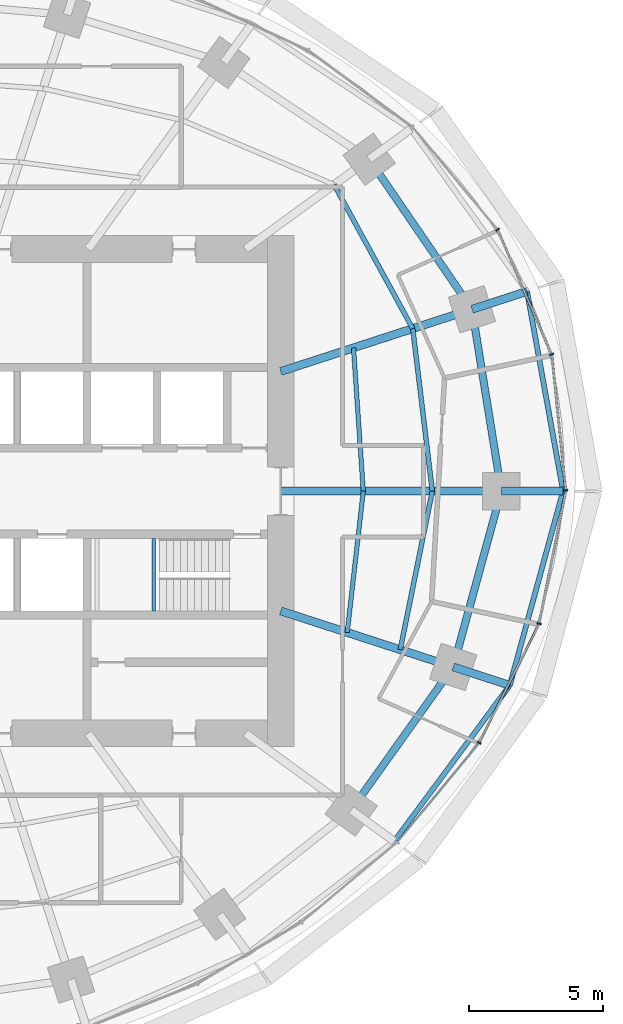
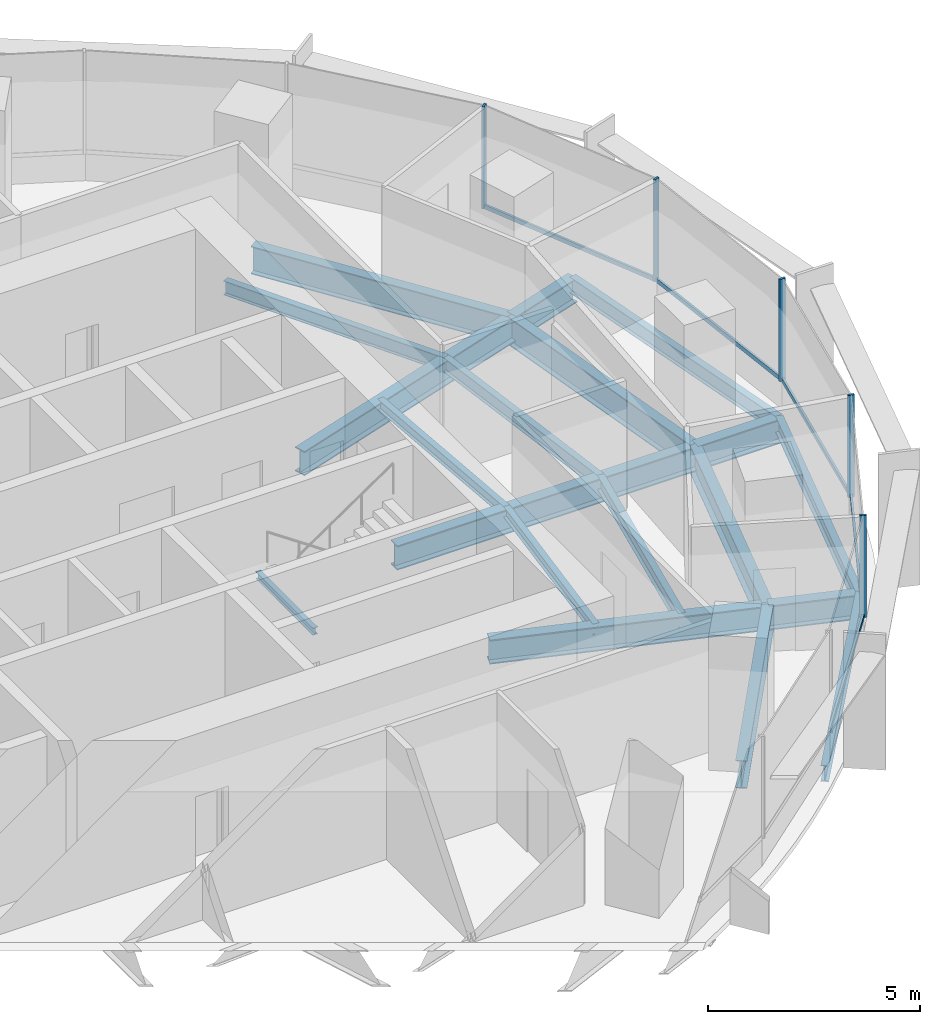
# One storey, part 6 of 15: 19 beams, 10 members, 2 elements without a shape of their own.
"""IFC4 building model written with IfcOpenShell, lengths in metres."""

from ifc_helpers import new_model, si_unit, direction, frame, origin, origin_2d, place, context, subcontext, project, spatial, rectangle, i_section, extrude, material, material_profile, profile_set, type_object, element, aggregate, save


model = new_model("IFC4")

# Units and contexts
model_context = context("Model", 3, precision=1e-05, world=origin(), true_north=direction((0.0, 1.0)))
body_context = subcontext(model_context, "Body", "Model", "MODEL_VIEW")
ifc_project = project(units=[si_unit("LENGTHUNIT", "METRE"), si_unit("AREAUNIT", "SQUARE_METRE"), si_unit("VOLUMEUNIT", "CUBIC_METRE"), si_unit("PLANEANGLEUNIT", "RADIAN"), si_unit("MASSUNIT", "GRAM", prefix="KILO")], contexts=[model_context])

# Site, building, storey
site_placement = place(None, origin())
site = spatial("IfcSite", under=ifc_project, at=site_placement, CompositionType="ELEMENT")
building_placement = place(site_placement, origin())
building = spatial("IfcBuilding", under=site, at=building_placement, Name="Marramba Exchange Tower", CompositionType="ELEMENT")
storey_placement = place(building_placement, frame((0.0, 0.0, 207.199951171875)))
storey = spatial("IfcBuildingStorey", under=building, at=storey_placement, Name="L50", CompositionType="ELEMENT", Elevation=207.199951171875)

# Beams
ifc_material_1 = material(Name="Steel AS/NZS 3679.2 grade 300", Category="steel")
ifc_material_profile_1 = material_profile(ifc_material_1, i_section(OverallWidth=0.300048828125, OverallDepth=0.699951171875, WebThickness=0.010009765625, FlangeThickness=0.031982421875, at=origin_2d()), Name="700WB173")
ifc_profile_set_1 = profile_set([ifc_material_profile_1], Name="Steel AS/NZS 3679.2 grade 300")
beam_type_1 = type_object("IfcBeamType", Name="Cantilever girder 700WB173", PredefinedType="BEAM", material=ifc_profile_set_1)
beam_1_placement = place(storey_placement, frame((21.89990234375, 0.0, -0.510009765625), z_axis=(1.0, 0.0, 0.0), x_axis=(0.0, 1.0, 0.0)))
element("IfcBeam", 1, at=beam_1_placement, inside=storey, type_object=beam_type_1, Name="Cantilever girder L50 TC01", PredefinedType="BEAM", context=body_context, shape_type="SweptSolid", body=[
    extrude(i_section(OverallWidth=0.300048828125, OverallDepth=0.699951171875, WebThickness=0.010009765625, FlangeThickness=0.031982421875, at=origin_2d()), origin(), (0.0, 0.0, 1.0), 2.294189453125),
])
beam_2_placement = place(storey_placement, frame((20.808349609375, 6.760986328125, -0.510009765625), z_axis=(0.951051587859, 0.309032162129, 0.0), x_axis=(-0.309032162129, 0.951051587859, 0.0)))
element("IfcBeam", 2, at=beam_2_placement, inside=storey, type_object=beam_type_1, Name="Cantilever girder L50 TC02", PredefinedType="BEAM", context=body_context, shape_type="SweptSolid", body=[
    extrude(i_section(OverallWidth=0.300048828125, OverallDepth=0.699951171875, WebThickness=0.010009765625, FlangeThickness=0.031982421875, at=origin_2d()), origin(), (0.0, 0.0, 1.0), 2.150390625),
])
beam_3_placement = place(storey_placement, frame((20.109375, -6.533935546875, -0.510009765625), z_axis=(0.951050283347, -0.309036176758, 0.0), x_axis=(0.309036176758, 0.951050283347, 0.0)))
element("IfcBeam", 3, at=beam_3_placement, inside=storey, type_object=beam_type_1, Name="Cantilever girder L50 TC20", PredefinedType="BEAM", context=body_context, shape_type="SweptSolid", body=[
    extrude(i_section(OverallWidth=0.300048828125, OverallDepth=0.699951171875, WebThickness=0.010009765625, FlangeThickness=0.031982421875, at=origin_2d()), origin(), (0.0, 0.0, 1.0), 2.212890625),
])
ifc_material_2 = material(Name="Steel AS/NZS 3679.1 grade 300", Category="steel")
ifc_material_profile_2 = material_profile(ifc_material_2, i_section(OverallWidth=0.166015625, OverallDepth=0.306884765625, WebThickness=0.006591796875, FlangeThickness=0.01171875, FilletRadius=0.011474609375, at=origin_2d()), Name="310UB46.2")
ifc_profile_set_2 = profile_set([ifc_material_profile_2], Name="Steel AS/NZS 3679.1 grade 300")
beam_type_2 = type_object("IfcBeamType", Name="Floor joist 310UB46.2", PredefinedType="JOIST", material=ifc_profile_set_2)
beam_4_placement = place(storey_placement, frame((16.7666015625, 0.0, -0.3134765625), z_axis=(-0.068096259546, 0.99767875563, 0.0), x_axis=(-0.99767875563, -0.068096259546, 0.0)))
element("IfcBeam", 4, at=beam_4_placement, inside=storey, type_object=beam_type_2, Name="Joist L50 bay 01 row 1", PredefinedType="JOIST", context=body_context, shape_type="SweptSolid", body=[
    extrude(i_section(OverallWidth=0.166015625, OverallDepth=0.306884765625, WebThickness=0.006591796875, FlangeThickness=0.01171875, FilletRadius=0.011474609375, at=origin_2d()), origin(), (0.0, 0.0, 1.0), 5.342041015625),
])
beam_5_placement = place(storey_placement, frame((16.169677734375, -5.25390625, -0.3134765625), z_axis=(0.112888968594, 0.993607609054, 0.0), x_axis=(-0.993607609054, 0.112888968594, 0.0)))
element("IfcBeam", 5, at=beam_5_placement, inside=storey, type_object=beam_type_2, Name="Joist L50 bay 20 row 1", PredefinedType="JOIST", context=body_context, shape_type="SweptSolid", body=[
    extrude(i_section(OverallWidth=0.166015625, OverallDepth=0.306884765625, WebThickness=0.006591796875, FlangeThickness=0.01171875, FilletRadius=0.011474609375, at=origin_2d()), origin(), (0.0, 0.0, 1.0), 5.28759765625),
])
ifc_material_profile_3 = material_profile(ifc_material_2, i_section(OverallWidth=0.177978515625, OverallDepth=0.406005859375, WebThickness=0.0078125, FlangeThickness=0.0126953125, FilletRadius=0.011474609375, at=origin_2d()), Name="410UB59.7")
ifc_profile_set_3 = profile_set([ifc_material_profile_3], Name="Steel AS/NZS 3679.1 grade 300")
beam_type_3 = type_object("IfcBeamType", Name="Floor joist 410UB59.7", PredefinedType="JOIST", material=ifc_profile_set_3)
beam_6_placement = place(storey_placement, frame((19.333251953125, 0.0, -0.363037109375), z_axis=(-0.119523078538, 0.992831422597, 0.0), x_axis=(-0.992831422597, -0.119523078538, 0.0)))
element("IfcBeam", 6, at=beam_6_placement, inside=storey, type_object=beam_type_3, Name="Joist L50 bay 01 row 2", PredefinedType="JOIST", context=body_context, shape_type="SweptSolid", body=[
    extrude(i_section(OverallWidth=0.177978515625, OverallDepth=0.406005859375, WebThickness=0.0078125, FlangeThickness=0.0126953125, FilletRadius=0.011474609375, at=origin_2d()), origin(), (0.0, 0.0, 1.0), 6.089111328125),
])
beam_7_placement = place(storey_placement, frame((18.60546875, 6.04541015625, -0.363037109375), z_axis=(-0.479584443791, 0.877495732909, 0.0), x_axis=(-0.877495732909, -0.479584443791, 0.0)))
element("IfcBeam", 7, at=beam_7_placement, inside=storey, type_object=beam_type_3, Name="Joist L50 bay 02 row 2", PredefinedType="JOIST", context=body_context, shape_type="SweptSolid", body=[
    extrude(i_section(OverallWidth=0.177978515625, OverallDepth=0.406005859375, WebThickness=0.0078125, FlangeThickness=0.0126953125, FilletRadius=0.011474609375, at=origin_2d()), origin(), (0.0, 0.0, 1.0), 6.094970703125),
])
beam_8_placement = place(storey_placement, frame((18.1396484375, -5.893798828125, -0.363037109375), z_axis=(0.198489047047, 0.980103105904, 0.0), x_axis=(-0.980103105904, 0.198489047047, 0.0)))
element("IfcBeam", 8, at=beam_8_placement, inside=storey, type_object=beam_type_3, Name="Joist L50 bay 20 row 2", PredefinedType="JOIST", context=body_context, shape_type="SweptSolid", body=[
    extrude(i_section(OverallWidth=0.177978515625, OverallDepth=0.406005859375, WebThickness=0.0078125, FlangeThickness=0.0126953125, FilletRadius=0.011474609375, at=origin_2d()), origin(), (0.0, 0.0, 1.0), 6.013427734375),
])

# Curtain wall, members
ifc_material_3 = material(Name="Aluminium framing, bronze anodised", Category="aluminium")
curtain_wall_type = type_object("IfcCurtainWallType", Name="Office ribbon curtain wall", PredefinedType="USERDEFINED", material=ifc_material_3)
curtain_wall_1_placement = place(storey_placement, origin())
curtain_wall_1 = element("IfcCurtainWall", 9, at=curtain_wall_1_placement, inside=storey, type_object=curtain_wall_type, Name="Curtain wall CW4 L50 F01-F05", ObjectType="RIBBON CURTAIN WALL", PredefinedType="USERDEFINED")
ifc_material_4 = material(Name="Aluminium mullion, bronze anodised", Category="aluminium")
ifc_material_profile_4 = material_profile(ifc_material_4, rectangle(XDim=0.159912109375, YDim=0.06005859375, at=origin_2d()), Name="CW4 mullion 60x160")
ifc_profile_set_4 = profile_set([ifc_material_profile_4], Name="Aluminium mullion, bronze anodised")
member_type_1 = type_object("IfcMemberType", Name="Office ribbon curtain wall mullion", PredefinedType="MULLION", material=ifc_profile_set_4)
member_1_placement = place(storey_placement, frame((24.291015625, 0.02978515625, 0.800048828125), z_axis=(0.0, 0.0, 1.0), x_axis=(-0.994843446001, -0.101422472607, 0.0)))
member_1 = element("IfcMember", 10, at=member_1_placement, type_object=member_type_1, Name="CW4 mullion 1", PredefinedType="MULLION", context=body_context, shape_type="SweptSolid", body=[
    extrude(rectangle(XDim=0.159912109375, YDim=0.06005859375, at=origin_2d()), origin(), (0.0, 0.0, 1.0), 2.93994140625),
])
member_2_placement = place(storey_placement, frame((23.766845703125, 5.081787109375, 0.800048828125), z_axis=(0.0, 0.0, 1.0), x_axis=(-0.918167104527, -0.396193346946, 0.0)))
member_2 = element("IfcMember", 11, at=member_2_placement, type_object=member_type_1, Name="CW4 mullion 1", PredefinedType="MULLION", context=body_context, shape_type="SweptSolid", body=[
    extrude(rectangle(XDim=0.159912109375, YDim=0.06005859375, at=origin_2d()), origin(), (0.0, 0.0, 1.0), 2.93994140625),
])
member_3_placement = place(storey_placement, frame((21.757080078125, 9.718505859375, 0.800048828125), z_axis=(0.0, 0.0, 1.0), x_axis=(-0.770574258342, -0.637350227411, 0.0)))
member_3 = element("IfcMember", 12, at=member_3_placement, type_object=member_type_1, Name="CW4 mullion 1", PredefinedType="MULLION", context=body_context, shape_type="SweptSolid", body=[
    extrude(rectangle(XDim=0.159912109375, YDim=0.06005859375, at=origin_2d()), origin(), (0.0, 0.0, 1.0), 2.93994140625),
])

curtain_wall_2_placement = place(storey_placement, origin())
curtain_wall_2 = element("IfcCurtainWall", 13, at=curtain_wall_2_placement, inside=storey, type_object=curtain_wall_type, Name="Curtain wall CW4 L50 F26-F30", ObjectType="RIBBON CURTAIN WALL", PredefinedType="USERDEFINED")
member_4_placement = place(storey_placement, frame((21.07568359375, -9.3505859375, 0.800048828125), z_axis=(0.0, 0.0, 1.0), x_axis=(-0.892689067591, 0.450673083956, 0.0)))
member_4 = element("IfcMember", 14, at=member_4_placement, type_object=member_type_1, Name="CW4 mullion 1", PredefinedType="MULLION", context=body_context, shape_type="SweptSolid", body=[
    extrude(rectangle(XDim=0.159912109375, YDim=0.06005859375, at=origin_2d()), origin(), (0.0, 0.0, 1.0), 2.93994140625),
])
member_5_placement = place(storey_placement, frame((23.30224609375, -4.92236328125, 0.800048828125), z_axis=(0.0, 0.0, 1.0), x_axis=(-0.980303812539, 0.197495405316, 0.0)))
member_5 = element("IfcMember", 15, at=member_5_placement, type_object=member_type_1, Name="CW4 mullion 1", PredefinedType="MULLION", context=body_context, shape_type="SweptSolid", body=[
    extrude(rectangle(XDim=0.159912109375, YDim=0.06005859375, at=origin_2d()), origin(), (0.0, 0.0, 1.0), 2.93994140625),
])

# Member
ifc_material_5 = material(Name="Aluminium transom, bronze anodised", Category="aluminium")
ifc_material_profile_5 = material_profile(ifc_material_5, rectangle(XDim=0.06005859375, YDim=0.1201171875, at=origin_2d()), Name="CW4 transom 60x120")
ifc_profile_set_5 = profile_set([ifc_material_profile_5], Name="Aluminium transom, bronze anodised")
member_type_2 = type_object("IfcMemberType", Name="Office ribbon curtain wall transom", PredefinedType="USERDEFINED", material=ifc_profile_set_5)
member_6_placement = place(storey_placement, frame((24.287841796875, 0.0595703125, 0.830078125), z_axis=(-0.101386007846, 0.994847162841, 0.0), x_axis=(-0.994847162841, -0.101386007846, 0.0)))
member_6 = element("IfcMember", 16, at=member_6_placement, type_object=member_type_2, Name="CW4 sill transom", ObjectType="TRANSOM", PredefinedType="USERDEFINED", context=body_context, shape_type="SweptSolid", body=[
    extrude(rectangle(XDim=0.06005859375, YDim=0.1201171875, at=origin_2d()), origin(), (0.0, 0.0, 1.0), 5.020751953125),
])

member_7_placement = place(storey_placement, frame((23.7548828125, 5.109375, 0.830078125), z_axis=(-0.396177573744, 0.918173910576, 0.0), x_axis=(-0.918173910576, -0.396177573744, 0.0)))
member_7 = element("IfcMember", 17, at=member_7_placement, type_object=member_type_2, Name="CW4 sill transom", ObjectType="TRANSOM", PredefinedType="USERDEFINED", context=body_context, shape_type="SweptSolid", body=[
    extrude(rectangle(XDim=0.06005859375, YDim=0.1201171875, at=origin_2d()), origin(), (0.0, 0.0, 1.0), 4.99462890625),
])

aggregate(curtain_wall_1, [member_1, member_6, member_2, member_7, member_3])

member_8_placement = place(storey_placement, frame((18.03515625, -13.029296875, 0.830078125), z_axis=(0.638146908901, 0.76991462037, 0.0), x_axis=(-0.76991462037, 0.638146908901, 0.0)))
member_8 = element("IfcMember", 18, at=member_8_placement, type_object=member_type_2, Name="CW4 sill transom", ObjectType="TRANSOM", PredefinedType="USERDEFINED", context=body_context, shape_type="SweptSolid", body=[
    extrude(rectangle(XDim=0.06005859375, YDim=0.1201171875, at=origin_2d()), origin(), (0.0, 0.0, 1.0), 4.7431640625),
])

member_9_placement = place(storey_placement, frame((21.089111328125, -9.323974609375, 0.830078125), z_axis=(0.450679681949, 0.892685736572, 0.0), x_axis=(-0.892685736572, 0.450679681949, 0.0)))
member_9 = element("IfcMember", 19, at=member_9_placement, type_object=member_type_2, Name="CW4 sill transom", ObjectType="TRANSOM", PredefinedType="USERDEFINED", context=body_context, shape_type="SweptSolid", body=[
    extrude(rectangle(XDim=0.06005859375, YDim=0.1201171875, at=origin_2d()), origin(), (0.0, 0.0, 1.0), 4.897705078125),
])

member_10_placement = place(storey_placement, frame((23.308349609375, -4.89306640625, 0.830078125), z_axis=(0.197461053167, 0.980310732616, 0.0), x_axis=(-0.980310732616, 0.197461053167, 0.0)))
member_10 = element("IfcMember", 20, at=member_10_placement, type_object=member_type_2, Name="CW4 sill transom", ObjectType="TRANSOM", PredefinedType="USERDEFINED", context=body_context, shape_type="SweptSolid", body=[
    extrude(rectangle(XDim=0.06005859375, YDim=0.1201171875, at=origin_2d()), origin(), (0.0, 0.0, 1.0), 4.991455078125),
])

aggregate(curtain_wall_2, [member_8, member_4, member_9, member_5, member_10])

# Beams
ifc_material_profile_6 = material_profile(ifc_material_1, i_section(OverallWidth=0.300048828125, OverallDepth=0.699951171875, WebThickness=0.010009765625, FlangeThickness=0.031982421875, at=origin_2d()), Name="700WB173")
ifc_profile_set_6 = profile_set([ifc_material_profile_6], Name="Steel AS/NZS 3679.2 grade 300")
beam_type_4 = type_object("IfcBeamType", Name="Radial girder 700WB173", PredefinedType="BEAM", material=ifc_profile_set_6)
beam_9_placement = place(storey_placement, frame((13.699951171875, 0.0, -0.510009765625), z_axis=(1.0, 0.0, 0.0), x_axis=(0.0, 1.0, 0.0)))
element("IfcBeam", 21, at=beam_9_placement, inside=storey, type_object=beam_type_4, Name="Radial girder L50 TC01", PredefinedType="BEAM", context=body_context, shape_type="SweptSolid", body=[
    extrude(i_section(OverallWidth=0.300048828125, OverallDepth=0.699951171875, WebThickness=0.010009765625, FlangeThickness=0.031982421875, at=origin_2d()), origin(), (0.0, 0.0, 1.0), 8.199951171875),
])
beam_10_placement = place(storey_placement, frame((13.699951171875, 4.451416015625, -0.510009765625), z_axis=(0.951059990189, 0.309006302624, 0.0), x_axis=(-0.309006302624, 0.951059990189, 0.0)))
element("IfcBeam", 22, at=beam_10_placement, inside=storey, type_object=beam_type_4, Name="Radial girder L50 TC02", PredefinedType="BEAM", context=body_context, shape_type="SweptSolid", body=[
    extrude(i_section(OverallWidth=0.300048828125, OverallDepth=0.699951171875, WebThickness=0.010009765625, FlangeThickness=0.031982421875, at=origin_2d()), origin(), (0.0, 0.0, 1.0), 7.47412109375),
])
beam_11_placement = place(storey_placement, frame((13.699951171875, -4.451416015625, -0.510009765625), z_axis=(0.951057759669, -0.309013167637, 0.0), x_axis=(0.309013167637, 0.951057759669, 0.0)))
element("IfcBeam", 23, at=beam_11_placement, inside=storey, type_object=beam_type_4, Name="Radial girder L50 TC20", PredefinedType="BEAM", context=body_context, shape_type="SweptSolid", body=[
    extrude(i_section(OverallWidth=0.300048828125, OverallDepth=0.699951171875, WebThickness=0.010009765625, FlangeThickness=0.031982421875, at=origin_2d()), origin(), (0.0, 0.0, 1.0), 6.7392578125),
])
ifc_material_profile_7 = material_profile(ifc_material_1, i_section(OverallWidth=0.27490234375, OverallDepth=0.800048828125, WebThickness=0.010009765625, FlangeThickness=0.02490234375, at=origin_2d()), Name="800WB168")
ifc_profile_set_7 = profile_set([ifc_material_profile_7], Name="Steel AS/NZS 3679.2 grade 300")
beam_type_5 = type_object("IfcBeamType", Name="Ring beam 800WB168", PredefinedType="SPANDREL", material=ifc_profile_set_7)
beam_12_placement = place(storey_placement, frame((21.89990234375, 0.0, -0.56005859375), z_axis=(-0.159384865399, 0.987216523708, 0.0), x_axis=(-0.987216523708, -0.159384865399, 0.0)))
element("IfcBeam", 24, at=beam_12_placement, inside=storey, type_object=beam_type_5, Name="Ring beam L50 TC01-TC02", PredefinedType="SPANDREL", context=body_context, shape_type="SweptSolid", body=[
    extrude(i_section(OverallWidth=0.27490234375, OverallDepth=0.800048828125, WebThickness=0.010009765625, FlangeThickness=0.02490234375, at=origin_2d()), origin(), (0.0, 0.0, 1.0), 6.8486328125),
])
beam_13_placement = place(storey_placement, frame((20.808349609375, 6.760986328125, -0.56005859375), z_axis=(-0.56516002054, 0.824981303535, 0.0), x_axis=(-0.824981303535, -0.56516002054, 0.0)))
element("IfcBeam", 25, at=beam_13_placement, inside=storey, type_object=beam_type_5, Name="Ring beam L50 TC02-TC03", PredefinedType="SPANDREL", context=body_context, shape_type="SweptSolid", body=[
    extrude(i_section(OverallWidth=0.27490234375, OverallDepth=0.800048828125, WebThickness=0.010009765625, FlangeThickness=0.02490234375, at=origin_2d()), origin(), (0.0, 0.0, 1.0), 6.763671875),
])
beam_14_placement = place(storey_placement, frame((16.3154296875, -11.853759765625, -0.56005859375), z_axis=(0.580637181111, 0.814162430914, 0.0), x_axis=(-0.814162430914, 0.580637181111, 0.0)))
element("IfcBeam", 26, at=beam_14_placement, inside=storey, type_object=beam_type_5, Name="Ring beam L50 TC19-TC20", PredefinedType="SPANDREL", context=body_context, shape_type="SweptSolid", body=[
    extrude(i_section(OverallWidth=0.27490234375, OverallDepth=0.800048828125, WebThickness=0.010009765625, FlangeThickness=0.02490234375, at=origin_2d()), origin(), (0.0, 0.0, 1.0), 6.5341796875),
])
beam_15_placement = place(storey_placement, frame((20.109375, -6.533935546875, -0.56005859375), z_axis=(0.264291166956, 0.964442937176, 0.0), x_axis=(-0.964442937176, 0.264291166956, 0.0)))
element("IfcBeam", 27, at=beam_15_placement, inside=storey, type_object=beam_type_5, Name="Ring beam L50 TC20-TC01", PredefinedType="SPANDREL", context=body_context, shape_type="SweptSolid", body=[
    extrude(i_section(OverallWidth=0.27490234375, OverallDepth=0.800048828125, WebThickness=0.010009765625, FlangeThickness=0.02490234375, at=origin_2d()), origin(), (0.0, 0.0, 1.0), 6.77490234375),
])
ifc_material_profile_8 = material_profile(ifc_material_2, i_section(OverallWidth=0.19091796875, OverallDepth=0.4599609375, WebThickness=0.010009765625, FlangeThickness=0.01611328125, FilletRadius=0.011474609375, at=origin_2d()), Name="460UB82.1")
ifc_profile_set_8 = profile_set([ifc_material_profile_8], Name="Steel AS/NZS 3679.1 grade 300")
beam_type_6 = type_object("IfcBeamType", Name="Slab edge beam 460UB82.1", PredefinedType="SPANDREL", material=ifc_profile_set_8)
beam_16_placement = place(storey_placement, frame((24.194091796875, 0.0, -0.389892578125), z_axis=(-0.177663817107, 0.984091239719, 0.0), x_axis=(-0.984091239719, -0.177663817107, 0.0)))
element("IfcBeam", 28, at=beam_16_placement, inside=storey, type_object=beam_type_6, Name="Slab edge beam L50 TC01-TC02", PredefinedType="SPANDREL", context=body_context, shape_type="SweptSolid", body=[
    extrude(i_section(OverallWidth=0.19091796875, OverallDepth=0.4599609375, WebThickness=0.010009765625, FlangeThickness=0.01611328125, FilletRadius=0.011474609375, at=origin_2d()), origin(), (0.0, 0.0, 1.0), 7.545654296875),
])
beam_17_placement = place(storey_placement, frame((17.916015625, -13.016845703125, -0.389892578125), z_axis=(0.595428136035, 0.803408572781, 0.0), x_axis=(-0.803408572781, 0.595428136035, 0.0)))
element("IfcBeam", 29, at=beam_17_placement, inside=storey, type_object=beam_type_6, Name="Slab edge beam L50 TC19-TC20", PredefinedType="SPANDREL", context=body_context, shape_type="SweptSolid", body=[
    extrude(i_section(OverallWidth=0.19091796875, OverallDepth=0.4599609375, WebThickness=0.010009765625, FlangeThickness=0.01611328125, FilletRadius=0.011474609375, at=origin_2d()), origin(), (0.0, 0.0, 1.0), 7.218017578125),
])
beam_18_placement = place(storey_placement, frame((22.2138671875, -7.2177734375, -0.389892578125), z_axis=(0.264577205901, 0.964364506874, 0.0), x_axis=(-0.964364506874, 0.264577205901, 0.0)))
element("IfcBeam", 30, at=beam_18_placement, inside=storey, type_object=beam_type_6, Name="Slab edge beam L50 TC20-TC01", PredefinedType="SPANDREL", context=body_context, shape_type="SweptSolid", body=[
    extrude(i_section(OverallWidth=0.19091796875, OverallDepth=0.4599609375, WebThickness=0.010009765625, FlangeThickness=0.01611328125, FilletRadius=0.011474609375, at=origin_2d()), origin(), (0.0, 0.0, 1.0), 7.484375),
])
ifc_material_profile_9 = material_profile(ifc_material_2, i_section(OverallWidth=0.133056640625, OverallDepth=0.202880859375, WebThickness=0.005859375, FlangeThickness=0.0078125, FilletRadius=0.0087890625, at=origin_2d()), Name="200UB25.4")
ifc_profile_set_9 = profile_set([ifc_material_profile_9], Name="Steel AS/NZS 3679.1 grade 300")
beam_type_7 = type_object("IfcBeamType", Name="Stair landing beam 200UB25.4", PredefinedType="BEAM", material=ifc_profile_set_9)
beam_19_placement = place(storey_placement, frame((8.9833984375, -4.449951171875, 1.6484375), z_axis=(0.0, 1.0, 0.0), x_axis=(-1.0, 0.0, 0.0)))
element("IfcBeam", 31, at=beam_19_placement, inside=storey, type_object=beam_type_7, Name="Stair landing beam SLB1 ST2 L50 2", PredefinedType="BEAM", context=body_context, shape_type="SweptSolid", body=[
    extrude(i_section(OverallWidth=0.133056640625, OverallDepth=0.202880859375, WebThickness=0.005859375, FlangeThickness=0.0078125, FilletRadius=0.0087890625, at=origin_2d()), origin(), (0.0, 0.0, 1.0), 2.699951171875),
])

save(model, "model.ifc")
